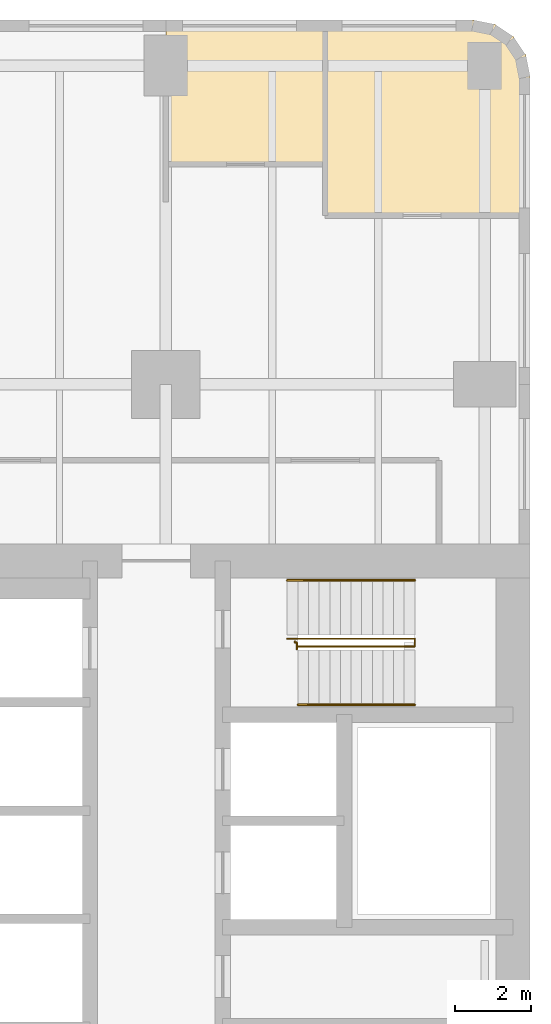
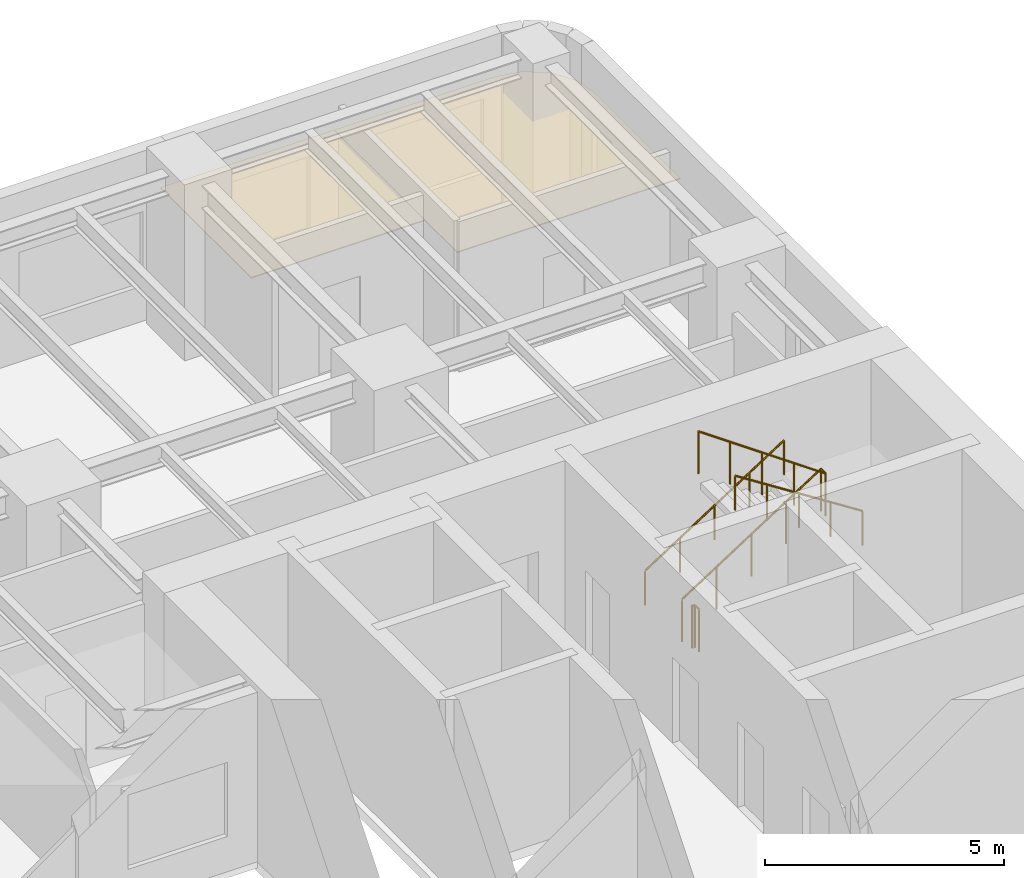
# One storey, part 12 of 12: 4 railings, 2 coverings.
"""IFC4 building model written with IfcOpenShell, lengths in metres."""

import ifcopenshell
import ifcopenshell.guid

model = None  # the IFC model being written
_history = None  # IfcOwnerHistory: only IFC2X3 demands one
_inside = {}  # id of a spatial element -> (the spatial element, [elements in it])
_under = {}  # id of a project, library or spatial element -> (it, [spatial elements below it])
_declared = {}  # id of a project -> (the project, [libraries it declares])
_typed = {}  # id of a type object -> (the type object, [elements of that type])
_made_of = {}  # id of a material, layer set ... -> (it, [elements and type objects made of it])


def new_model(schema):
    """Start an empty IFC model of exactly this schema.

    Asked for "IFC4X3", IfcOpenShell would pick the latest addendum, in which some entities
    have other attributes; the version numbers below select the first issue.
    IFC2X3 requires an IfcOwnerHistory on every rooted entity: one is made here for all.
    """
    global model, _history
    if schema == "IFC4X3":
        model = ifcopenshell.file(schema_version=(4, 3, 0, 0))
    else:
        model = ifcopenshell.file(schema=schema)
    _inside.clear()
    _under.clear()
    _declared.clear()
    _typed.clear()
    _made_of.clear()
    _history = None
    if model.schema == "IFC2X3":
        org = make("IfcOrganization", Name="unknown")
        user = make(
            "IfcPersonAndOrganization",
            ThePerson=make("IfcPerson", FamilyName="unknown"),
            TheOrganization=org,
        )
        app = make(
            "IfcApplication",
            ApplicationDeveloper=org,
            Version="unknown",
            ApplicationFullName="unknown",
            ApplicationIdentifier="unknown",
        )
        _history = make(
            "IfcOwnerHistory",
            OwningUser=user,
            OwningApplication=app,
            ChangeAction="ADDED",
            CreationDate=0,
        )
    return model


def make(cls, **values):
    """One entity of the class cls with the attributes given. An attribute that is None is left unset."""
    return model.create_entity(
        cls, **{name: value for name, value in values.items() if value is not None}
    )


def rooted(cls, **values):
    """An entity with a GlobalId (a new one), such as an element, a storey or a relation."""
    return make(cls, GlobalId=ifcopenshell.guid.new(), OwnerHistory=_history, **values)


def si_unit(unit_type, name, prefix=None):
    """IfcSIUnit, for example si_unit("LENGTHUNIT", "METRE", prefix="MILLI")."""
    return make("IfcSIUnit", UnitType=unit_type, Prefix=prefix, Name=name)


def assignment(units):
    """IfcUnitAssignment: the units of a project."""
    return None if units is None else make("IfcUnitAssignment", Units=units)


def point(xyz):
    """IfcCartesianPoint."""
    return None if xyz is None else make("IfcCartesianPoint", Coordinates=xyz)


def direction(xyz):
    """IfcDirection."""
    return None if xyz is None else make("IfcDirection", DirectionRatios=xyz)


def frame(location, z_axis=None, x_axis=None):
    """IfcAxis2Placement3D, a coordinate frame: its origin and axes. An axis left out is left unset."""
    return make(
        "IfcAxis2Placement3D",
        Location=point(location),
        Axis=direction(z_axis),
        RefDirection=direction(x_axis),
    )


def frame_2d(location, x_axis=None):
    """IfcAxis2Placement2D, a coordinate frame in the plane: its origin and x axis."""
    return make(
        "IfcAxis2Placement2D", Location=point(location), RefDirection=direction(x_axis)
    )


def origin():
    """The frame at (0, 0, 0) with its axes left unset."""
    return frame((0.0, 0.0, 0.0))


def origin_2d():
    """The frame at (0, 0) in the plane with its x axis left unset."""
    return frame_2d((0.0, 0.0))


def place(relative_to, where):
    """IfcLocalPlacement: puts the frame where relative to a parent placement (None: the world)."""
    return make(
        "IfcLocalPlacement", PlacementRelTo=relative_to, RelativePlacement=where
    )


def context(
    kind, dimensions, precision=None, world=None, true_north=None, identifier=None
):
    """IfcGeometricRepresentationContext, for example the 3D "Model" context."""
    return make(
        "IfcGeometricRepresentationContext",
        ContextIdentifier=identifier,
        ContextType=kind,
        CoordinateSpaceDimension=dimensions,
        Precision=precision,
        WorldCoordinateSystem=world,
        TrueNorth=true_north,
    )


def subcontext(parent, identifier, kind, view, scale=None):
    """IfcGeometricRepresentationSubContext, for example "Body" below "Model"."""
    return make(
        "IfcGeometricRepresentationSubContext",
        ContextIdentifier=identifier,
        ContextType=kind,
        ParentContext=parent,
        TargetScale=scale,
        TargetView=view,
    )


def project(units=None, contexts=None):
    """IfcProject with its units and contexts."""
    return rooted(
        "IfcProject",
        Name="project",
        RepresentationContexts=contexts,
        UnitsInContext=assignment(units),
    )


def spatial(cls, under=None, at=None, **own):
    """A site, building, storey or space (cls), placed at a placement, below another one or the project."""
    s = rooted(cls, ObjectPlacement=at, **own)
    if under is not None:
        _under.setdefault(under.id(), (under, []))[1].append(s)
    return s


def polyline(points):
    """IfcPolyline through the points."""
    return make("IfcPolyline", Points=[point(p) for p in points])


def profile(cls, at=None, kind="AREA", **sizes):
    """A parametric profile (cls). Its sizes go by their IFC names, for example OverallWidth=200.0."""
    return make(cls, ProfileType=kind, Position=at, **sizes)


def circle(**sizes):
    """IfcCircleProfileDef."""
    return profile("IfcCircleProfileDef", **sizes)


def outline(outer, holes=None, kind="AREA"):
    """IfcArbitraryClosedProfileDef: a profile drawn as a closed curve; with holes, ...WithVoids."""
    if holes is None:
        return make("IfcArbitraryClosedProfileDef", ProfileType=kind, OuterCurve=outer)
    return make(
        "IfcArbitraryProfileDefWithVoids",
        ProfileType=kind,
        OuterCurve=outer,
        InnerCurves=holes,
    )


def extrude(swept, where, along, depth):
    """IfcExtrudedAreaSolid: the profile swept, set in the frame where, extruded along a direction by depth."""
    return make(
        "IfcExtrudedAreaSolid",
        SweptArea=swept,
        Position=where,
        ExtrudedDirection=direction(along),
        Depth=depth,
    )


def shape(context_of_items, identifier, shape_type, items):
    """IfcShapeRepresentation: the items that make up one representation, for example the "Body"."""
    return make(
        "IfcShapeRepresentation",
        ContextOfItems=context_of_items,
        RepresentationIdentifier=identifier,
        RepresentationType=shape_type,
        Items=items,
    )


def material(Name=None, Category=None):
    """IfcMaterial."""
    return make("IfcMaterial", Name=Name, Category=Category)


def layer(
    of_material, thickness, ventilated=None, Name=None, Category=None, Priority=None
):
    """IfcMaterialLayer: one layer of a wall or slab, of a material (None: an air gap)."""
    return make(
        "IfcMaterialLayer",
        Material=of_material,
        LayerThickness=thickness,
        IsVentilated=ventilated,
        Name=Name,
        Category=Category,
        Priority=Priority,
    )


def layer_set(layers, Name=None):
    """IfcMaterialLayerSet."""
    return make("IfcMaterialLayerSet", MaterialLayers=layers, LayerSetName=Name)


def made_of(thing, what):
    """Note that an element or type object is made of a material, layer set ...; save() writes the relation."""
    if what is not None:
        _made_of.setdefault(what.id(), (what, []))[1].append(thing)
    return thing


def type_object(cls, material=None, **own):
    """A type object (cls), such as IfcWallType, which elements share."""
    return made_of(rooted(cls, **own), material)


def element(
    cls,
    number,
    at=None,
    inside=None,
    cuts=None,
    type_object=None,
    material=None,
    context=None,
    identifier="Body",
    shape_type=None,
    held_by="IfcProductDefinitionShape",
    body=None,
    shapes=None,
    **own,
):
    """One element of the class cls, such as IfcWall. Its Tag is "e" and its number.

    at: its placement. inside: the storey or other place that contains it. cuts: it is an
    opening in that element (IfcRelVoidsElement). A single representation is given by context,
    identifier, shape_type and body (its items); several are given by shapes. held_by: the class
    of the entity that holds the representations. save() writes the other relations.
    """
    e = rooted(cls, Tag="e%d" % number, ObjectPlacement=at, **own)
    if body is not None:
        shapes = [shape(context, identifier, shape_type, body)]
    if shapes is not None:
        e.Representation = make(held_by, Representations=shapes)
    if inside is not None:
        _inside.setdefault(inside.id(), (inside, []))[1].append(e)
    if cuts is not None:
        rooted(
            "IfcRelVoidsElement", RelatingBuildingElement=cuts, RelatedOpeningElement=e
        )
    if type_object is not None:
        _typed.setdefault(type_object.id(), (type_object, []))[1].append(e)
    return made_of(e, material)


def aggregate(whole, parts):
    """IfcRelAggregates: a whole, such as a stair, and the parts it consists of."""
    return rooted("IfcRelAggregates", RelatingObject=whole, RelatedObjects=parts)


def save(model, path):
    """Write the relations noted so far, then the file.

    IfcRelAggregates (storeys below a building ...), IfcRelContainedInSpatialStructure (elements
    in a storey), IfcRelDefinesByType, IfcRelAssociatesMaterial and IfcRelDeclares: one each for
    every whole, place, type object, material and project.
    """
    for whole, parts in _under.values():
        aggregate(whole, parts)
    for where, things in _inside.values():
        rooted(
            "IfcRelContainedInSpatialStructure",
            RelatedElements=things,
            RelatingStructure=where,
        )
    for kind, things in _typed.values():
        rooted("IfcRelDefinesByType", RelatedObjects=things, RelatingType=kind)
    for what, things in _made_of.values():
        rooted("IfcRelAssociatesMaterial", RelatedObjects=things, RelatingMaterial=what)
    for by, libraries in _declared.values():
        rooted("IfcRelDeclares", RelatingContext=by, RelatedDefinitions=libraries)
    model.write(path)


model = new_model("IFC4")

# Units and contexts
model_context = context("Model", 3, precision=1e-05, world=origin(), true_north=direction((0.0, 1.0)))
body_context = subcontext(model_context, "Body", "Model", "MODEL_VIEW")
ifc_project = project(units=[si_unit("LENGTHUNIT", "METRE"), si_unit("AREAUNIT", "SQUARE_METRE"), si_unit("VOLUMEUNIT", "CUBIC_METRE"), si_unit("PLANEANGLEUNIT", "RADIAN"), si_unit("MASSUNIT", "GRAM", prefix="KILO")], contexts=[model_context])

# Site, building, storey
site_placement = place(None, origin())
site = spatial("IfcSite", under=ifc_project, at=site_placement, CompositionType="ELEMENT")
building_placement = place(site_placement, origin())
building = spatial("IfcBuilding", under=site, at=building_placement, Name="Claustro Exchange Tower", CompositionType="ELEMENT")
storey_placement = place(building_placement, frame((0.0, 0.0, 81.89990234375)))
storey = spatial("IfcBuildingStorey", under=building, at=storey_placement, Name="L18", CompositionType="ELEMENT", Elevation=81.89990234375)

# Coverings
ifc_material_1 = material(Name="Gypsum board ceiling", Category="gypsum board")
ifc_layer = layer(ifc_material_1, 0.02490234375)
ifc_layer_set = layer_set([ifc_layer], Name="Gypsum board ceiling")
covering_type = type_object("IfcCoveringType", Name="CL2 plasterboard ceiling", PredefinedType="CEILING", material=ifc_layer_set)
covering_1_placement = place(storey_placement, frame((0.0, 0.0, 3.0)))
element("IfcCovering", 1, at=covering_1_placement, inside=storey, type_object=covering_type, Name="Ceiling CL2 L18-24", PredefinedType="CEILING", context=body_context, shape_type="SweptSolid", body=[
    extrude(outline(polyline([(50.10009765625, 51.60009765625), (46.199951171875, 51.60009765625), (46.199951171875, 46.449951171875), (51.60009765625, 46.449951171875), (51.60009765625, 50.10009765625), (51.48583984375, 50.674072265625), (51.16064453125, 51.16064453125), (50.674072265625, 51.48583984375), (50.10009765625, 51.60009765625)])), origin(), (0.0, 0.0, 1.0), 0.025146484375),
])
covering_2_placement = place(storey_placement, frame((0.0, 0.0, 3.0)))
element("IfcCovering", 2, at=covering_2_placement, inside=storey, type_object=covering_type, Name="Ceiling CL2 L18-29", PredefinedType="CEILING", context=body_context, shape_type="SweptSolid", body=[
    extrude(outline(polyline([(46.199951171875, 51.60009765625), (42.0, 51.60009765625), (42.0, 47.800048828125), (46.199951171875, 47.800048828125), (46.199951171875, 51.60009765625)])), origin(), (0.0, 0.0, 1.0), 0.025146484375),
])

# Railings
ifc_material_2 = material(Name="Steel balustrade, painted", Category="steel")
railing_type_1 = type_object("IfcRailingType", Name="GR2 1100 steel stair guard", PredefinedType="GUARDRAIL", material=ifc_material_2)
railing_1_placement = place(storey_placement, frame((45.199951171875, 35.300048828125, 0.18017578125)))
element("IfcRailing", 3, at=railing_1_placement, inside=storey, type_object=railing_type_1, Name="Stair well guard GR2 stair STEB L18", PredefinedType="GUARDRAIL", context=body_context, shape_type="SweptSolid", body=[
    extrude(circle(Radius=0.02392578125, at=origin_2d()), frame((0.0, 0.0, 1.076171875), z_axis=(0.84119634759, 0.0, 0.540729789082), x_axis=(0.0, 1.0, 0.0)), (0.0, 0.0, 1.0), 3.994384765625),
    extrude(circle(Radius=0.02392578125, at=origin_2d()), frame((3.360107421875, 0.0, 3.23583984375), z_axis=(0.0, -1.0, 0.0), x_axis=(1.0, 0.0, 0.0)), (0.0, 0.0, 1.0), 0.199951171875),
    extrude(circle(Radius=0.02392578125, at=origin_2d()), frame((3.360107421875, -0.199951171875, 3.23583984375), z_axis=(-0.8187499073, 0.0, 0.574150319426), x_axis=(0.0, -1.0, 0.0)), (0.0, 0.0, 1.0), 3.761962890625),
    extrude(circle(Radius=0.02099609375, at=origin_2d()), origin(), (0.0, 0.0, 1.0), 1.052001953125),
    extrude(circle(Radius=0.02099609375, at=origin_2d()), frame((0.840087890625, 0.0, 0.5400390625)), (0.0, 0.0, 1.0), 1.052001953125),
    extrude(circle(Radius=0.02099609375, at=origin_2d()), frame((1.68017578125, 0.0, 1.080078125)), (0.0, 0.0, 1.0), 1.052001953125),
    extrude(circle(Radius=0.02099609375, at=origin_2d()), frame((2.52001953125, 0.0, 1.619873046875)), (0.0, 0.0, 1.0), 1.052001953125),
    extrude(circle(Radius=0.02099609375, at=origin_2d()), frame((3.360107421875, 0.0, 2.159912109375)), (0.0, 0.0, 1.0), 1.052001953125),
    extrude(circle(Radius=0.02099609375, at=origin_2d()), frame((3.360107421875, -0.199951171875, 2.159912109375)), (0.0, 0.0, 1.0), 1.052001953125),
    extrude(circle(Radius=0.02099609375, at=origin_2d()), frame((2.590087890625, -0.199951171875, 2.699951171875)), (0.0, 0.0, 1.0), 1.052001953125),
    extrude(circle(Radius=0.02099609375, at=origin_2d()), frame((1.820068359375, -0.199951171875, 3.23974609375)), (0.0, 0.0, 1.0), 1.052001953125),
    extrude(circle(Radius=0.02099609375, at=origin_2d()), frame((1.050048828125, -0.199951171875, 3.77978515625)), (0.0, 0.0, 1.0), 1.052001953125),
    extrude(circle(Radius=0.02099609375, at=origin_2d()), frame((0.280029296875, -0.199951171875, 4.31982421875)), (0.0, 0.0, 1.0), 1.052001953125),
])
railing_2_placement = place(storey_placement, frame((45.39990234375, 35.22998046875, 0.0)))
element("IfcRailing", 4, at=railing_2_placement, inside=storey, type_object=railing_type_1, Name="Stair guard GR2 STEB L18", PredefinedType="GUARDRAIL", context=body_context, shape_type="SweptSolid", body=[
    extrude(circle(Radius=0.02392578125, at=origin_2d()), frame((0.0, 0.0, 1.076171875), z_axis=(0.0, -1.0, 0.0), x_axis=(1.0, 0.0, 0.0)), (0.0, 0.0, 1.0), 0.030029296875),
    extrude(circle(Radius=0.02392578125, at=origin_2d()), frame((0.0, -0.030029296875, 1.076171875), z_axis=(1.0, 0.0, 0.0), x_axis=(0.0, 1.0, 0.0)), (0.0, 0.0, 1.0), 0.05517578125),
    extrude(circle(Radius=0.02392578125, at=origin_2d()), frame((0.05517578125, -0.030029296875, 1.076171875), z_axis=(0.0, -1.0, 0.0), x_axis=(1.0, 0.0, 0.0)), (0.0, 0.0, 1.0), 0.179931640625),
    extrude(circle(Radius=0.02099609375, at=origin_2d()), origin(), (0.0, 0.0, 1.0), 1.052001953125),
    extrude(circle(Radius=0.02099609375, at=origin_2d()), frame((0.0, -0.030029296875, 0.0)), (0.0, 0.0, 1.0), 1.052001953125),
    extrude(circle(Radius=0.02099609375, at=origin_2d()), frame((0.05517578125, -0.030029296875, 0.0)), (0.0, 0.0, 1.0), 1.052001953125),
    extrude(circle(Radius=0.02099609375, at=origin_2d()), frame((0.05517578125, -0.2099609375, 0.0)), (0.0, 0.0, 1.0), 1.052001953125),
])
ifc_material_3 = material(Name="Stainless steel tube", Category="steel")
railing_type_2 = type_object("IfcRailingType", Name="HR1 900 stair handrail", PredefinedType="HANDRAIL", material=ifc_material_3)
railing_3_placement = place(storey_placement, frame((45.199951171875, 36.840087890625, 0.18017578125)))
element("IfcRailing", 5, at=railing_3_placement, inside=storey, type_object=railing_type_2, Name="Handrail HR1 stair STEB L18", PredefinedType="HANDRAIL", context=body_context, shape_type="SweptSolid", body=[
    extrude(circle(Radius=0.02392578125, at=origin_2d()), frame((0.0, 0.0, 0.8759765625), z_axis=(0.84119634759, 0.0, 0.540729789082), x_axis=(0.0, 1.0, 0.0)), (0.0, 0.0, 1.0), 3.994384765625),
    extrude(circle(Radius=0.02099609375, at=origin_2d()), origin(), (0.0, 0.0, 1.0), 0.851806640625),
    extrude(circle(Radius=0.02099609375, at=origin_2d()), frame((0.840087890625, 0.0, 0.5400390625)), (0.0, 0.0, 1.0), 0.851806640625),
    extrude(circle(Radius=0.02099609375, at=origin_2d()), frame((1.68017578125, 0.0, 1.080078125)), (0.0, 0.0, 1.0), 0.851806640625),
    extrude(circle(Radius=0.02099609375, at=origin_2d()), frame((2.52001953125, 0.0, 1.619873046875)), (0.0, 0.0, 1.0), 0.851806640625),
    extrude(circle(Radius=0.02099609375, at=origin_2d()), frame((3.360107421875, 0.0, 2.159912109375)), (0.0, 0.0, 1.0), 0.851806640625),
])
railing_4_placement = place(storey_placement, frame((48.56005859375, 33.56005859375, 2.52001953125)))
element("IfcRailing", 6, at=railing_4_placement, inside=storey, type_object=railing_type_2, Name="Handrail HR1 stair STEB L18", PredefinedType="HANDRAIL", context=body_context, shape_type="SweptSolid", body=[
    extrude(circle(Radius=0.02392578125, at=origin_2d()), frame((0.0, 0.0, 0.8759765625), z_axis=(-0.84118714077, 0.0, 0.540744111576), x_axis=(0.0, -1.0, 0.0)), (0.0, 0.0, 1.0), 3.66162109375),
    extrude(circle(Radius=0.02099609375, at=origin_2d()), origin(), (0.0, 0.0, 1.0), 0.851806640625),
    extrude(circle(Radius=0.02099609375, at=origin_2d()), frame((-0.77001953125, 0.0, 0.4951171875)), (0.0, 0.0, 1.0), 0.851806640625),
    extrude(circle(Radius=0.02099609375, at=origin_2d()), frame((-1.5400390625, 0.0, 0.989990234375)), (0.0, 0.0, 1.0), 0.851806640625),
    extrude(circle(Radius=0.02099609375, at=origin_2d()), frame((-2.31005859375, 0.0, 1.48486328125)), (0.0, 0.0, 1.0), 0.851806640625),
    extrude(circle(Radius=0.02099609375, at=origin_2d()), frame((-3.080078125, 0.0, 1.97998046875)), (0.0, 0.0, 1.0), 0.851806640625),
])

save(model, "model.ifc")
